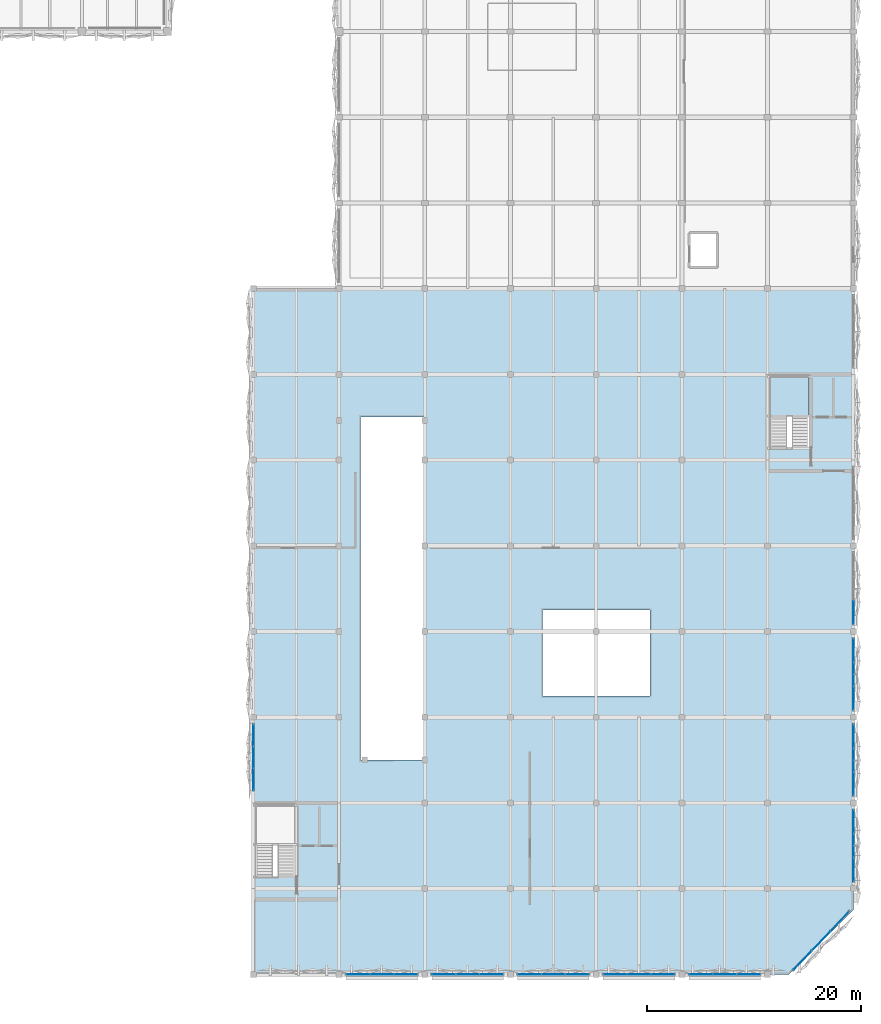
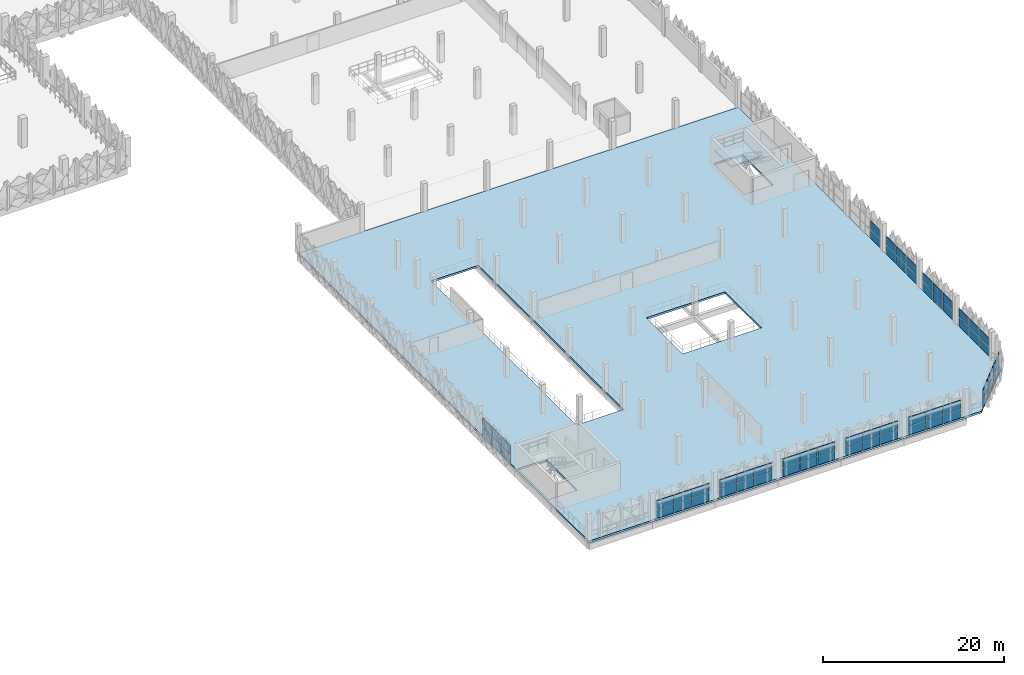
# One storey, part 31 of 83: 62 plates, 2 slabs, 12 elements without a shape of their own.
"""IFC4 building model written with IfcOpenShell, lengths in metres."""

from ifc_helpers import new_model, si_unit, derived_unit, direction, frame, origin, origin_2d, place, context, subcontext, project, spatial, polyline, rectangle, outline, extrude, material, layer, layer_set, type_object, element, aggregate, save


model = new_model("IFC4")

# Units and contexts
model_context = context("Model", 3, precision=1e-05, world=origin(), true_north=direction((0.0, 1.0)))
body_context = subcontext(model_context, "Body", "Model", "MODEL_VIEW")
ifc_project = project(units=[si_unit("LENGTHUNIT", "METRE"), si_unit("AREAUNIT", "SQUARE_METRE"), si_unit("VOLUMEUNIT", "CUBIC_METRE"), si_unit("PLANEANGLEUNIT", "RADIAN"), si_unit("MASSUNIT", "GRAM", prefix="KILO"), si_unit("THERMODYNAMICTEMPERATUREUNIT", "KELVIN"), derived_unit("THERMALTRANSMITTANCEUNIT", [(si_unit("POWERUNIT", "WATT"), 1), (si_unit("AREAUNIT", "SQUARE_METRE"), -1), (si_unit("THERMODYNAMICTEMPERATUREUNIT", "KELVIN"), -1)])], contexts=[model_context])

# Site, building, storey
site_placement = place(None, origin())
site = spatial("IfcSite", under=ifc_project, at=site_placement, CompositionType="ELEMENT")
building_placement = place(site_placement, origin())
building = spatial("IfcBuilding", under=site, at=building_placement, Name="Haiyu Intermodal Mobility Hub", CompositionType="ELEMENT")
storey_placement = place(building_placement, frame((0.0, 0.0, 13.39990234375)))
storey = spatial("IfcBuildingStorey", under=building, at=storey_placement, Name="L03", CompositionType="ELEMENT", Elevation=13.39990234375)

# Curtain wall, plates
ifc_material_1 = material(Name="Low-e laminated insulating glass", Category="glass")
ifc_layer_1 = layer(ifc_material_1, 0.2099609375)
ifc_layer_set_1 = layer_set([ifc_layer_1], Name="Low-e laminated insulating glass")
curtain_wall_type = type_object("IfcCurtainWallType", Name="CW-CW04", PredefinedType="NOTDEFINED", material=ifc_layer_set_1)
curtain_wall_1_placement = place(storey_placement, origin())
curtain_wall_1 = element("IfcCurtainWall", 1, at=curtain_wall_1_placement, inside=storey, type_object=curtain_wall_type, Name="Curtain Wall CW-V5S-L03-118", PredefinedType="NOTDEFINED")
ifc_material_2 = material(Name="Anodised aluminium 6063-T6", Category="aluminium")
ifc_layer_2 = layer(ifc_material_2, 0.0419921875)
ifc_layer_set_2 = layer_set([ifc_layer_2], Name="Anodised aluminium 6063-T6")
plate_type_1 = type_object("IfcPlateType", Name="PLT-CP02", PredefinedType="CURTAIN_PANEL", material=ifc_layer_set_2)
plate_1_placement = place(storey_placement, frame((163.77294921875, 16.0, 0.03515625), z_axis=(0.0, 0.0, 1.0), x_axis=(1.0, 0.0, 0.0)))
plate_1 = element("IfcPlate", 2, at=plate_1_placement, type_object=plate_type_1, Name="CW-V5S-L03-118-PN01", PredefinedType="CURTAIN_PANEL", context=body_context, shape_type="SweptSolid", body=[
    extrude(rectangle(XDim=2.136962890625, YDim=0.0419921875, at=origin_2d()), origin(), (0.0, 0.0, 1.0), 1.169921875),
])
plate_2_placement = place(storey_placement, frame((166.0, 16.0, 0.03515625), z_axis=(0.0, 0.0, 1.0), x_axis=(1.0, 0.0, 0.0)))
plate_2 = element("IfcPlate", 3, at=plate_2_placement, type_object=plate_type_1, Name="CW-V5S-L03-118-PN03", PredefinedType="CURTAIN_PANEL", context=body_context, shape_type="SweptSolid", body=[
    extrude(rectangle(XDim=2.136962890625, YDim=0.0419921875, at=origin_2d()), origin(), (0.0, 0.0, 1.0), 1.169921875),
])
plate_3_placement = place(storey_placement, frame((168.22705078125, 16.0, 0.03515625), z_axis=(0.0, 0.0, 1.0), x_axis=(1.0, 0.0, 0.0)))
plate_3 = element("IfcPlate", 4, at=plate_3_placement, type_object=plate_type_1, Name="CW-V5S-L03-118-PN05", PredefinedType="CURTAIN_PANEL", context=body_context, shape_type="SweptSolid", body=[
    extrude(rectangle(XDim=2.136962890625, YDim=0.0419921875, at=origin_2d()), origin(), (0.0, 0.0, 1.0), 1.169921875),
])

curtain_wall_2_placement = place(storey_placement, origin())
curtain_wall_2 = element("IfcCurtainWall", 5, at=curtain_wall_2_placement, inside=storey, type_object=curtain_wall_type, Name="Curtain Wall CW-V5S-L03-119", PredefinedType="NOTDEFINED")
plate_4_placement = place(storey_placement, frame((171.77294921875, 16.0, 0.03515625), z_axis=(0.0, 0.0, 1.0), x_axis=(1.0, 0.0, 0.0)))
plate_4 = element("IfcPlate", 6, at=plate_4_placement, type_object=plate_type_1, Name="CW-V5S-L03-119-PN01", PredefinedType="CURTAIN_PANEL", context=body_context, shape_type="SweptSolid", body=[
    extrude(rectangle(XDim=2.136962890625, YDim=0.0419921875, at=origin_2d()), origin(), (0.0, 0.0, 1.0), 1.169921875),
])
plate_5_placement = place(storey_placement, frame((174.0, 16.0, 0.03515625), z_axis=(0.0, 0.0, 1.0), x_axis=(1.0, 0.0, 0.0)))
plate_5 = element("IfcPlate", 7, at=plate_5_placement, type_object=plate_type_1, Name="CW-V5S-L03-119-PN03", PredefinedType="CURTAIN_PANEL", context=body_context, shape_type="SweptSolid", body=[
    extrude(rectangle(XDim=2.136962890625, YDim=0.0419921875, at=origin_2d()), origin(), (0.0, 0.0, 1.0), 1.169921875),
])
plate_6_placement = place(storey_placement, frame((176.22705078125, 16.0, 0.03515625), z_axis=(0.0, 0.0, 1.0), x_axis=(1.0, 0.0, 0.0)))
plate_6 = element("IfcPlate", 8, at=plate_6_placement, type_object=plate_type_1, Name="CW-V5S-L03-119-PN05", PredefinedType="CURTAIN_PANEL", context=body_context, shape_type="SweptSolid", body=[
    extrude(rectangle(XDim=2.136962890625, YDim=0.0419921875, at=origin_2d()), origin(), (0.0, 0.0, 1.0), 1.169921875),
])

curtain_wall_3_placement = place(storey_placement, origin())
curtain_wall_3 = element("IfcCurtainWall", 9, at=curtain_wall_3_placement, inside=storey, type_object=curtain_wall_type, Name="Curtain Wall CW-V5S-L03-120", PredefinedType="NOTDEFINED")
plate_7_placement = place(storey_placement, frame((179.77294921875, 16.0, 0.03515625), z_axis=(0.0, 0.0, 1.0), x_axis=(1.0, 0.0, 0.0)))
plate_7 = element("IfcPlate", 10, at=plate_7_placement, type_object=plate_type_1, Name="CW-V5S-L03-120-PN01", PredefinedType="CURTAIN_PANEL", context=body_context, shape_type="SweptSolid", body=[
    extrude(rectangle(XDim=2.136962890625, YDim=0.0419921875, at=origin_2d()), origin(), (0.0, 0.0, 1.0), 1.169921875),
])
plate_8_placement = place(storey_placement, frame((182.0, 16.0, 0.03515625), z_axis=(0.0, 0.0, 1.0), x_axis=(1.0, 0.0, 0.0)))
plate_8 = element("IfcPlate", 11, at=plate_8_placement, type_object=plate_type_1, Name="CW-V5S-L03-120-PN03", PredefinedType="CURTAIN_PANEL", context=body_context, shape_type="SweptSolid", body=[
    extrude(rectangle(XDim=2.136962890625, YDim=0.0419921875, at=origin_2d()), origin(), (0.0, 0.0, 1.0), 1.169921875),
])
plate_9_placement = place(storey_placement, frame((184.22705078125, 16.0, 0.03515625), z_axis=(0.0, 0.0, 1.0), x_axis=(1.0, 0.0, 0.0)))
plate_9 = element("IfcPlate", 12, at=plate_9_placement, type_object=plate_type_1, Name="CW-V5S-L03-120-PN05", PredefinedType="CURTAIN_PANEL", context=body_context, shape_type="SweptSolid", body=[
    extrude(rectangle(XDim=2.136962890625, YDim=0.0419921875, at=origin_2d()), origin(), (0.0, 0.0, 1.0), 1.169921875),
])

curtain_wall_4_placement = place(storey_placement, origin())
curtain_wall_4 = element("IfcCurtainWall", 13, at=curtain_wall_4_placement, inside=storey, type_object=curtain_wall_type, Name="Curtain Wall CW-V5S-L03-121", PredefinedType="NOTDEFINED")
plate_10_placement = place(storey_placement, frame((187.77294921875, 16.0, 0.03515625), z_axis=(0.0, 0.0, 1.0), x_axis=(1.0, 0.0, 0.0)))
plate_10 = element("IfcPlate", 14, at=plate_10_placement, type_object=plate_type_1, Name="CW-V5S-L03-121-PN01", PredefinedType="CURTAIN_PANEL", context=body_context, shape_type="SweptSolid", body=[
    extrude(rectangle(XDim=2.136962890625, YDim=0.0419921875, at=origin_2d()), origin(), (0.0, 0.0, 1.0), 1.169921875),
])
plate_11_placement = place(storey_placement, frame((190.0, 16.0, 0.03515625), z_axis=(0.0, 0.0, 1.0), x_axis=(1.0, 0.0, 0.0)))
plate_11 = element("IfcPlate", 15, at=plate_11_placement, type_object=plate_type_1, Name="CW-V5S-L03-121-PN03", PredefinedType="CURTAIN_PANEL", context=body_context, shape_type="SweptSolid", body=[
    extrude(rectangle(XDim=2.136962890625, YDim=0.0419921875, at=origin_2d()), origin(), (0.0, 0.0, 1.0), 1.169921875),
])
plate_12_placement = place(storey_placement, frame((192.22705078125, 16.0, 0.03515625), z_axis=(0.0, 0.0, 1.0), x_axis=(1.0, 0.0, 0.0)))
plate_12 = element("IfcPlate", 16, at=plate_12_placement, type_object=plate_type_1, Name="CW-V5S-L03-121-PN05", PredefinedType="CURTAIN_PANEL", context=body_context, shape_type="SweptSolid", body=[
    extrude(rectangle(XDim=2.136962890625, YDim=0.0419921875, at=origin_2d()), origin(), (0.0, 0.0, 1.0), 1.169921875),
])

curtain_wall_5_placement = place(storey_placement, origin())
curtain_wall_5 = element("IfcCurtainWall", 17, at=curtain_wall_5_placement, inside=storey, type_object=curtain_wall_type, Name="Curtain Wall CW-V5S-L03-122", PredefinedType="NOTDEFINED")
plate_13_placement = place(storey_placement, frame((195.77294921875, 16.0, 0.03515625), z_axis=(0.0, 0.0, 1.0), x_axis=(1.0, 0.0, 0.0)))
plate_13 = element("IfcPlate", 18, at=plate_13_placement, type_object=plate_type_1, Name="CW-V5S-L03-122-PN01", PredefinedType="CURTAIN_PANEL", context=body_context, shape_type="SweptSolid", body=[
    extrude(rectangle(XDim=2.136962890625, YDim=0.0419921875, at=origin_2d()), origin(), (0.0, 0.0, 1.0), 1.169921875),
])
plate_14_placement = place(storey_placement, frame((198.0, 16.0, 0.03515625), z_axis=(0.0, 0.0, 1.0), x_axis=(1.0, 0.0, 0.0)))
plate_14 = element("IfcPlate", 19, at=plate_14_placement, type_object=plate_type_1, Name="CW-V5S-L03-122-PN03", PredefinedType="CURTAIN_PANEL", context=body_context, shape_type="SweptSolid", body=[
    extrude(rectangle(XDim=2.136962890625, YDim=0.0419921875, at=origin_2d()), origin(), (0.0, 0.0, 1.0), 1.169921875),
])
plate_15_placement = place(storey_placement, frame((200.22705078125, 16.0, 0.03515625), z_axis=(0.0, 0.0, 1.0), x_axis=(1.0, 0.0, 0.0)))
plate_15 = element("IfcPlate", 20, at=plate_15_placement, type_object=plate_type_1, Name="CW-V5S-L03-122-PN05", PredefinedType="CURTAIN_PANEL", context=body_context, shape_type="SweptSolid", body=[
    extrude(rectangle(XDim=2.136962890625, YDim=0.0419921875, at=origin_2d()), origin(), (0.0, 0.0, 1.0), 1.169921875),
])

curtain_wall_6_placement = place(storey_placement, origin())
curtain_wall_6 = element("IfcCurtainWall", 21, at=curtain_wall_6_placement, inside=storey, type_object=curtain_wall_type, Name="Curtain Wall CW-V5E-L03-123", PredefinedType="NOTDEFINED")
plate_16_placement = place(storey_placement, frame((210.0, 25.77294921875, 0.03515625), z_axis=(0.0, 0.0, 1.0), x_axis=(0.0, 1.0, 0.0)))
plate_16 = element("IfcPlate", 22, at=plate_16_placement, type_object=plate_type_1, Name="CW-V5E-L03-123-PN01", PredefinedType="CURTAIN_PANEL", context=body_context, shape_type="SweptSolid", body=[
    extrude(rectangle(XDim=2.136962890625, YDim=0.0419921875, at=origin_2d()), origin(), (0.0, 0.0, 1.0), 1.169921875),
])
plate_17_placement = place(storey_placement, frame((210.0, 28.0, 0.03515625), z_axis=(0.0, 0.0, 1.0), x_axis=(0.0, 1.0, 0.0)))
plate_17 = element("IfcPlate", 23, at=plate_17_placement, type_object=plate_type_1, Name="CW-V5E-L03-123-PN03", PredefinedType="CURTAIN_PANEL", context=body_context, shape_type="SweptSolid", body=[
    extrude(rectangle(XDim=2.136962890625, YDim=0.0419921875, at=origin_2d()), origin(), (0.0, 0.0, 1.0), 1.169921875),
])
plate_18_placement = place(storey_placement, frame((210.0, 30.22705078125, 0.03515625), z_axis=(0.0, 0.0, 1.0), x_axis=(0.0, 1.0, 0.0)))
plate_18 = element("IfcPlate", 24, at=plate_18_placement, type_object=plate_type_1, Name="CW-V5E-L03-123-PN05", PredefinedType="CURTAIN_PANEL", context=body_context, shape_type="SweptSolid", body=[
    extrude(rectangle(XDim=2.136962890625, YDim=0.0419921875, at=origin_2d()), origin(), (0.0, 0.0, 1.0), 1.169921875),
])

curtain_wall_7_placement = place(storey_placement, origin())
curtain_wall_7 = element("IfcCurtainWall", 25, at=curtain_wall_7_placement, inside=storey, type_object=curtain_wall_type, Name="Curtain Wall CW-V5E-L03-124", PredefinedType="NOTDEFINED")
plate_19_placement = place(storey_placement, frame((210.0, 33.77294921875, 0.03515625), z_axis=(0.0, 0.0, 1.0), x_axis=(0.0, 1.0, 0.0)))
plate_19 = element("IfcPlate", 26, at=plate_19_placement, type_object=plate_type_1, Name="CW-V5E-L03-124-PN01", PredefinedType="CURTAIN_PANEL", context=body_context, shape_type="SweptSolid", body=[
    extrude(rectangle(XDim=2.136962890625, YDim=0.0419921875, at=origin_2d()), origin(), (0.0, 0.0, 1.0), 1.169921875),
])
plate_20_placement = place(storey_placement, frame((210.0, 36.0, 0.03515625), z_axis=(0.0, 0.0, 1.0), x_axis=(0.0, 1.0, 0.0)))
plate_20 = element("IfcPlate", 27, at=plate_20_placement, type_object=plate_type_1, Name="CW-V5E-L03-124-PN03", PredefinedType="CURTAIN_PANEL", context=body_context, shape_type="SweptSolid", body=[
    extrude(rectangle(XDim=2.136962890625, YDim=0.0419921875, at=origin_2d()), origin(), (0.0, 0.0, 1.0), 1.169921875),
])
plate_21_placement = place(storey_placement, frame((210.0, 38.22705078125, 0.03515625), z_axis=(0.0, 0.0, 1.0), x_axis=(0.0, 1.0, 0.0)))
plate_21 = element("IfcPlate", 28, at=plate_21_placement, type_object=plate_type_1, Name="CW-V5E-L03-124-PN05", PredefinedType="CURTAIN_PANEL", context=body_context, shape_type="SweptSolid", body=[
    extrude(rectangle(XDim=2.136962890625, YDim=0.0419921875, at=origin_2d()), origin(), (0.0, 0.0, 1.0), 1.169921875),
])

curtain_wall_8_placement = place(storey_placement, origin())
curtain_wall_8 = element("IfcCurtainWall", 29, at=curtain_wall_8_placement, inside=storey, type_object=curtain_wall_type, Name="Curtain Wall CW-V5E-L03-125", PredefinedType="NOTDEFINED")
plate_22_placement = place(storey_placement, frame((210.0, 41.77294921875, 0.03515625), z_axis=(0.0, 0.0, 1.0), x_axis=(0.0, 1.0, 0.0)))
plate_22 = element("IfcPlate", 30, at=plate_22_placement, type_object=plate_type_1, Name="CW-V5E-L03-125-PN01", PredefinedType="CURTAIN_PANEL", context=body_context, shape_type="SweptSolid", body=[
    extrude(rectangle(XDim=2.136962890625, YDim=0.0419921875, at=origin_2d()), origin(), (0.0, 0.0, 1.0), 1.169921875),
])
plate_23_placement = place(storey_placement, frame((210.0, 44.0, 0.03515625), z_axis=(0.0, 0.0, 1.0), x_axis=(0.0, 1.0, 0.0)))
plate_23 = element("IfcPlate", 31, at=plate_23_placement, type_object=plate_type_1, Name="CW-V5E-L03-125-PN03", PredefinedType="CURTAIN_PANEL", context=body_context, shape_type="SweptSolid", body=[
    extrude(rectangle(XDim=2.136962890625, YDim=0.0419921875, at=origin_2d()), origin(), (0.0, 0.0, 1.0), 1.169921875),
])
plate_24_placement = place(storey_placement, frame((210.0, 46.22705078125, 0.03515625), z_axis=(0.0, 0.0, 1.0), x_axis=(0.0, 1.0, 0.0)))
plate_24 = element("IfcPlate", 32, at=plate_24_placement, type_object=plate_type_1, Name="CW-V5E-L03-125-PN05", PredefinedType="CURTAIN_PANEL", context=body_context, shape_type="SweptSolid", body=[
    extrude(rectangle(XDim=2.136962890625, YDim=0.0419921875, at=origin_2d()), origin(), (0.0, 0.0, 1.0), 1.169921875),
])

# Curtain wall, plate
curtain_wall_9_placement = place(storey_placement, origin())
curtain_wall_9 = element("IfcCurtainWall", 33, at=curtain_wall_9_placement, inside=storey, type_object=curtain_wall_type, Name="Curtain Wall CW-V5E-L03-126", PredefinedType="NOTDEFINED")
plate_25_placement = place(storey_placement, frame((210.0, 49.77294921875, 0.03515625), z_axis=(0.0, 0.0, 1.0), x_axis=(0.0, 1.0, 0.0)))
plate_25 = element("IfcPlate", 34, at=plate_25_placement, type_object=plate_type_1, Name="CW-V5E-L03-126-PN01", PredefinedType="CURTAIN_PANEL", context=body_context, shape_type="SweptSolid", body=[
    extrude(rectangle(XDim=2.136962890625, YDim=0.0419921875, at=origin_2d()), origin(), (0.0, 0.0, 1.0), 1.169921875),
])

# Curtain wall, plates
curtain_wall_10_placement = place(storey_placement, origin())
curtain_wall_10 = element("IfcCurtainWall", 35, at=curtain_wall_10_placement, inside=storey, type_object=curtain_wall_type, Name="Curtain Wall CW-V5W-L03-129", PredefinedType="NOTDEFINED")
plate_26_placement = place(storey_placement, frame((154.0, 38.31005859375, 0.03515625), z_axis=(0.0, 0.0, 1.0), x_axis=(0.0, -1.0, 0.0)))
plate_26 = element("IfcPlate", 36, at=plate_26_placement, type_object=plate_type_1, Name="CW-V5W-L03-129-PN01", PredefinedType="CURTAIN_PANEL", context=body_context, shape_type="SweptSolid", body=[
    extrude(rectangle(XDim=1.969970703125, YDim=0.0419921875, at=origin_2d()), origin(), (0.0, 0.0, 1.0), 1.169921875),
])
plate_27_placement = place(storey_placement, frame((154.0, 36.25, 0.03515625), z_axis=(0.0, 0.0, 1.0), x_axis=(0.0, -1.0, 0.0)))
plate_27 = element("IfcPlate", 37, at=plate_27_placement, type_object=plate_type_1, Name="CW-V5W-L03-129-PN03", PredefinedType="CURTAIN_PANEL", context=body_context, shape_type="SweptSolid", body=[
    extrude(rectangle(XDim=1.969970703125, YDim=0.0419921875, at=origin_2d()), origin(), (0.0, 0.0, 1.0), 1.169921875),
])
plate_28_placement = place(storey_placement, frame((154.0, 34.18994140625, 0.03515625), z_axis=(0.0, 0.0, 1.0), x_axis=(0.0, -1.0, 0.0)))
plate_28 = element("IfcPlate", 38, at=plate_28_placement, type_object=plate_type_1, Name="CW-V5W-L03-129-PN05", PredefinedType="CURTAIN_PANEL", context=body_context, shape_type="SweptSolid", body=[
    extrude(rectangle(XDim=1.969970703125, YDim=0.0419921875, at=origin_2d()), origin(), (0.0, 0.0, 1.0), 1.169921875),
])

curtain_wall_11_placement = place(storey_placement, origin())
curtain_wall_11 = element("IfcCurtainWall", 39, at=curtain_wall_11_placement, inside=storey, type_object=curtain_wall_type, Name="Curtain Wall CW-V5CH-L03-181", PredefinedType="NOTDEFINED")
plate_29_placement = place(storey_placement, frame((205.251953125, 17.2939453125, 0.03515625), z_axis=(0.0, 0.0, 1.0), x_axis=(0.690630691319, 0.723207610723, 0.0)))
plate_29 = element("IfcPlate", 40, at=plate_29_placement, type_object=plate_type_1, Name="CW-V5CH-L03-181-PN01", PredefinedType="CURTAIN_PANEL", context=body_context, shape_type="SweptSolid", body=[
    extrude(rectangle(XDim=2.44091796875, YDim=0.0419921875, at=origin_2d()), origin(), (0.0, 0.0, 1.0), 1.169921875),
])
plate_30_placement = place(storey_placement, frame((207.0, 19.125, 0.03515625), z_axis=(0.0, 0.0, 1.0), x_axis=(0.690630691319, 0.723207610723, 0.0)))
plate_30 = element("IfcPlate", 41, at=plate_30_placement, type_object=plate_type_1, Name="CW-V5CH-L03-181-PN03", PredefinedType="CURTAIN_PANEL", context=body_context, shape_type="SweptSolid", body=[
    extrude(rectangle(XDim=2.44091796875, YDim=0.0419921875, at=origin_2d()), origin(), (0.0, 0.0, 1.0), 1.169921875),
])
plate_31_placement = place(storey_placement, frame((208.748046875, 20.9560546875, 0.03515625), z_axis=(0.0, 0.0, 1.0), x_axis=(0.690630691319, 0.723207610723, 0.0)))
plate_31 = element("IfcPlate", 42, at=plate_31_placement, type_object=plate_type_1, Name="CW-V5CH-L03-181-PN05", PredefinedType="CURTAIN_PANEL", context=body_context, shape_type="SweptSolid", body=[
    extrude(rectangle(XDim=2.44091796875, YDim=0.0419921875, at=origin_2d()), origin(), (0.0, 0.0, 1.0), 1.169921875),
])

# Plate
ifc_layer_3 = layer(ifc_material_1, 0.0439453125)
ifc_layer_set_3 = layer_set([ifc_layer_3], Name="Low-e laminated insulating glass")
plate_type_2 = type_object("IfcPlateType", Name="PLT-CP04", PredefinedType="CURTAIN_PANEL", material=ifc_layer_set_3)
plate_32_placement = place(storey_placement, frame((163.77294921875, 16.0, 1.275146484375), z_axis=(0.0, 0.0, 1.0), x_axis=(1.0, 0.0, 0.0)))
plate_32 = element("IfcPlate", 43, at=plate_32_placement, type_object=plate_type_2, Name="CW-V5S-L03-118-PN02", PredefinedType="CURTAIN_PANEL", context=body_context, shape_type="SweptSolid", body=[
    extrude(rectangle(XDim=2.136962890625, YDim=0.0439453125, at=origin_2d()), origin(), (0.0, 0.0, 1.0), 1.169921875),
])

plate_33_placement = place(storey_placement, frame((166.0, 16.0, 1.275146484375), z_axis=(0.0, 0.0, 1.0), x_axis=(1.0, 0.0, 0.0)))
plate_33 = element("IfcPlate", 44, at=plate_33_placement, type_object=plate_type_2, Name="CW-V5S-L03-118-PN04", PredefinedType="CURTAIN_PANEL", context=body_context, shape_type="SweptSolid", body=[
    extrude(rectangle(XDim=2.136962890625, YDim=0.0439453125, at=origin_2d()), origin(), (0.0, 0.0, 1.0), 1.169921875),
])

plate_34_placement = place(storey_placement, frame((168.22705078125, 16.0, 1.275146484375), z_axis=(0.0, 0.0, 1.0), x_axis=(1.0, 0.0, 0.0)))
plate_34 = element("IfcPlate", 45, at=plate_34_placement, type_object=plate_type_2, Name="CW-V5S-L03-118-PN06", PredefinedType="CURTAIN_PANEL", context=body_context, shape_type="SweptSolid", body=[
    extrude(rectangle(XDim=2.136962890625, YDim=0.0439453125, at=origin_2d()), origin(), (0.0, 0.0, 1.0), 1.169921875),
])

aggregate(curtain_wall_1, [plate_1, plate_32, plate_2, plate_33, plate_3, plate_34])

plate_35_placement = place(storey_placement, frame((171.77294921875, 16.0, 1.275146484375), z_axis=(0.0, 0.0, 1.0), x_axis=(1.0, 0.0, 0.0)))
plate_35 = element("IfcPlate", 46, at=plate_35_placement, type_object=plate_type_2, Name="CW-V5S-L03-119-PN02", PredefinedType="CURTAIN_PANEL", context=body_context, shape_type="SweptSolid", body=[
    extrude(rectangle(XDim=2.136962890625, YDim=0.0439453125, at=origin_2d()), origin(), (0.0, 0.0, 1.0), 1.169921875),
])

plate_36_placement = place(storey_placement, frame((174.0, 16.0, 1.275146484375), z_axis=(0.0, 0.0, 1.0), x_axis=(1.0, 0.0, 0.0)))
plate_36 = element("IfcPlate", 47, at=plate_36_placement, type_object=plate_type_2, Name="CW-V5S-L03-119-PN04", PredefinedType="CURTAIN_PANEL", context=body_context, shape_type="SweptSolid", body=[
    extrude(rectangle(XDim=2.136962890625, YDim=0.0439453125, at=origin_2d()), origin(), (0.0, 0.0, 1.0), 1.169921875),
])

plate_37_placement = place(storey_placement, frame((176.22705078125, 16.0, 1.275146484375), z_axis=(0.0, 0.0, 1.0), x_axis=(1.0, 0.0, 0.0)))
plate_37 = element("IfcPlate", 48, at=plate_37_placement, type_object=plate_type_2, Name="CW-V5S-L03-119-PN06", PredefinedType="CURTAIN_PANEL", context=body_context, shape_type="SweptSolid", body=[
    extrude(rectangle(XDim=2.136962890625, YDim=0.0439453125, at=origin_2d()), origin(), (0.0, 0.0, 1.0), 1.169921875),
])

aggregate(curtain_wall_2, [plate_4, plate_35, plate_5, plate_36, plate_6, plate_37])

plate_38_placement = place(storey_placement, frame((179.77294921875, 16.0, 1.275146484375), z_axis=(0.0, 0.0, 1.0), x_axis=(1.0, 0.0, 0.0)))
plate_38 = element("IfcPlate", 49, at=plate_38_placement, type_object=plate_type_2, Name="CW-V5S-L03-120-PN02", PredefinedType="CURTAIN_PANEL", context=body_context, shape_type="SweptSolid", body=[
    extrude(rectangle(XDim=2.136962890625, YDim=0.0439453125, at=origin_2d()), origin(), (0.0, 0.0, 1.0), 1.169921875),
])

plate_39_placement = place(storey_placement, frame((182.0, 16.0, 1.275146484375), z_axis=(0.0, 0.0, 1.0), x_axis=(1.0, 0.0, 0.0)))
plate_39 = element("IfcPlate", 50, at=plate_39_placement, type_object=plate_type_2, Name="CW-V5S-L03-120-PN04", PredefinedType="CURTAIN_PANEL", context=body_context, shape_type="SweptSolid", body=[
    extrude(rectangle(XDim=2.136962890625, YDim=0.0439453125, at=origin_2d()), origin(), (0.0, 0.0, 1.0), 1.169921875),
])

plate_40_placement = place(storey_placement, frame((184.22705078125, 16.0, 1.275146484375), z_axis=(0.0, 0.0, 1.0), x_axis=(1.0, 0.0, 0.0)))
plate_40 = element("IfcPlate", 51, at=plate_40_placement, type_object=plate_type_2, Name="CW-V5S-L03-120-PN06", PredefinedType="CURTAIN_PANEL", context=body_context, shape_type="SweptSolid", body=[
    extrude(rectangle(XDim=2.136962890625, YDim=0.0439453125, at=origin_2d()), origin(), (0.0, 0.0, 1.0), 1.169921875),
])

aggregate(curtain_wall_3, [plate_7, plate_38, plate_8, plate_39, plate_9, plate_40])

plate_41_placement = place(storey_placement, frame((187.77294921875, 16.0, 1.275146484375), z_axis=(0.0, 0.0, 1.0), x_axis=(1.0, 0.0, 0.0)))
plate_41 = element("IfcPlate", 52, at=plate_41_placement, type_object=plate_type_2, Name="CW-V5S-L03-121-PN02", PredefinedType="CURTAIN_PANEL", context=body_context, shape_type="SweptSolid", body=[
    extrude(rectangle(XDim=2.136962890625, YDim=0.0439453125, at=origin_2d()), origin(), (0.0, 0.0, 1.0), 1.169921875),
])

plate_42_placement = place(storey_placement, frame((190.0, 16.0, 1.275146484375), z_axis=(0.0, 0.0, 1.0), x_axis=(1.0, 0.0, 0.0)))
plate_42 = element("IfcPlate", 53, at=plate_42_placement, type_object=plate_type_2, Name="CW-V5S-L03-121-PN04", PredefinedType="CURTAIN_PANEL", context=body_context, shape_type="SweptSolid", body=[
    extrude(rectangle(XDim=2.136962890625, YDim=0.0439453125, at=origin_2d()), origin(), (0.0, 0.0, 1.0), 1.169921875),
])

plate_43_placement = place(storey_placement, frame((192.22705078125, 16.0, 1.275146484375), z_axis=(0.0, 0.0, 1.0), x_axis=(1.0, 0.0, 0.0)))
plate_43 = element("IfcPlate", 54, at=plate_43_placement, type_object=plate_type_2, Name="CW-V5S-L03-121-PN06", PredefinedType="CURTAIN_PANEL", context=body_context, shape_type="SweptSolid", body=[
    extrude(rectangle(XDim=2.136962890625, YDim=0.0439453125, at=origin_2d()), origin(), (0.0, 0.0, 1.0), 1.169921875),
])

aggregate(curtain_wall_4, [plate_10, plate_41, plate_11, plate_42, plate_12, plate_43])

plate_44_placement = place(storey_placement, frame((195.77294921875, 16.0, 1.275146484375), z_axis=(0.0, 0.0, 1.0), x_axis=(1.0, 0.0, 0.0)))
plate_44 = element("IfcPlate", 55, at=plate_44_placement, type_object=plate_type_2, Name="CW-V5S-L03-122-PN02", PredefinedType="CURTAIN_PANEL", context=body_context, shape_type="SweptSolid", body=[
    extrude(rectangle(XDim=2.136962890625, YDim=0.0439453125, at=origin_2d()), origin(), (0.0, 0.0, 1.0), 1.169921875),
])

plate_45_placement = place(storey_placement, frame((198.0, 16.0, 1.275146484375), z_axis=(0.0, 0.0, 1.0), x_axis=(1.0, 0.0, 0.0)))
plate_45 = element("IfcPlate", 56, at=plate_45_placement, type_object=plate_type_2, Name="CW-V5S-L03-122-PN04", PredefinedType="CURTAIN_PANEL", context=body_context, shape_type="SweptSolid", body=[
    extrude(rectangle(XDim=2.136962890625, YDim=0.0439453125, at=origin_2d()), origin(), (0.0, 0.0, 1.0), 1.169921875),
])

plate_46_placement = place(storey_placement, frame((200.22705078125, 16.0, 1.275146484375), z_axis=(0.0, 0.0, 1.0), x_axis=(1.0, 0.0, 0.0)))
plate_46 = element("IfcPlate", 57, at=plate_46_placement, type_object=plate_type_2, Name="CW-V5S-L03-122-PN06", PredefinedType="CURTAIN_PANEL", context=body_context, shape_type="SweptSolid", body=[
    extrude(rectangle(XDim=2.136962890625, YDim=0.0439453125, at=origin_2d()), origin(), (0.0, 0.0, 1.0), 1.169921875),
])

aggregate(curtain_wall_5, [plate_13, plate_44, plate_14, plate_45, plate_15, plate_46])

plate_47_placement = place(storey_placement, frame((210.0, 25.77294921875, 1.275146484375), z_axis=(0.0, 0.0, 1.0), x_axis=(0.0, 1.0, 0.0)))
plate_47 = element("IfcPlate", 58, at=plate_47_placement, type_object=plate_type_2, Name="CW-V5E-L03-123-PN02", PredefinedType="CURTAIN_PANEL", context=body_context, shape_type="SweptSolid", body=[
    extrude(rectangle(XDim=2.136962890625, YDim=0.0439453125, at=origin_2d()), origin(), (0.0, 0.0, 1.0), 1.169921875),
])

plate_48_placement = place(storey_placement, frame((210.0, 28.0, 1.275146484375), z_axis=(0.0, 0.0, 1.0), x_axis=(0.0, 1.0, 0.0)))
plate_48 = element("IfcPlate", 59, at=plate_48_placement, type_object=plate_type_2, Name="CW-V5E-L03-123-PN04", PredefinedType="CURTAIN_PANEL", context=body_context, shape_type="SweptSolid", body=[
    extrude(rectangle(XDim=2.136962890625, YDim=0.0439453125, at=origin_2d()), origin(), (0.0, 0.0, 1.0), 1.169921875),
])

plate_49_placement = place(storey_placement, frame((210.0, 30.22705078125, 1.275146484375), z_axis=(0.0, 0.0, 1.0), x_axis=(0.0, 1.0, 0.0)))
plate_49 = element("IfcPlate", 60, at=plate_49_placement, type_object=plate_type_2, Name="CW-V5E-L03-123-PN06", PredefinedType="CURTAIN_PANEL", context=body_context, shape_type="SweptSolid", body=[
    extrude(rectangle(XDim=2.136962890625, YDim=0.0439453125, at=origin_2d()), origin(), (0.0, 0.0, 1.0), 1.169921875),
])

aggregate(curtain_wall_6, [plate_16, plate_47, plate_17, plate_48, plate_18, plate_49])

plate_50_placement = place(storey_placement, frame((210.0, 33.77294921875, 1.275146484375), z_axis=(0.0, 0.0, 1.0), x_axis=(0.0, 1.0, 0.0)))
plate_50 = element("IfcPlate", 61, at=plate_50_placement, type_object=plate_type_2, Name="CW-V5E-L03-124-PN02", PredefinedType="CURTAIN_PANEL", context=body_context, shape_type="SweptSolid", body=[
    extrude(rectangle(XDim=2.136962890625, YDim=0.0439453125, at=origin_2d()), origin(), (0.0, 0.0, 1.0), 1.169921875),
])

plate_51_placement = place(storey_placement, frame((210.0, 36.0, 1.275146484375), z_axis=(0.0, 0.0, 1.0), x_axis=(0.0, 1.0, 0.0)))
plate_51 = element("IfcPlate", 62, at=plate_51_placement, type_object=plate_type_2, Name="CW-V5E-L03-124-PN04", PredefinedType="CURTAIN_PANEL", context=body_context, shape_type="SweptSolid", body=[
    extrude(rectangle(XDim=2.136962890625, YDim=0.0439453125, at=origin_2d()), origin(), (0.0, 0.0, 1.0), 1.169921875),
])

plate_52_placement = place(storey_placement, frame((210.0, 38.22705078125, 1.275146484375), z_axis=(0.0, 0.0, 1.0), x_axis=(0.0, 1.0, 0.0)))
plate_52 = element("IfcPlate", 63, at=plate_52_placement, type_object=plate_type_2, Name="CW-V5E-L03-124-PN06", PredefinedType="CURTAIN_PANEL", context=body_context, shape_type="SweptSolid", body=[
    extrude(rectangle(XDim=2.136962890625, YDim=0.0439453125, at=origin_2d()), origin(), (0.0, 0.0, 1.0), 1.169921875),
])

aggregate(curtain_wall_7, [plate_19, plate_50, plate_20, plate_51, plate_21, plate_52])

plate_53_placement = place(storey_placement, frame((210.0, 41.77294921875, 1.275146484375), z_axis=(0.0, 0.0, 1.0), x_axis=(0.0, 1.0, 0.0)))
plate_53 = element("IfcPlate", 64, at=plate_53_placement, type_object=plate_type_2, Name="CW-V5E-L03-125-PN02", PredefinedType="CURTAIN_PANEL", context=body_context, shape_type="SweptSolid", body=[
    extrude(rectangle(XDim=2.136962890625, YDim=0.0439453125, at=origin_2d()), origin(), (0.0, 0.0, 1.0), 1.169921875),
])

plate_54_placement = place(storey_placement, frame((210.0, 44.0, 1.275146484375), z_axis=(0.0, 0.0, 1.0), x_axis=(0.0, 1.0, 0.0)))
plate_54 = element("IfcPlate", 65, at=plate_54_placement, type_object=plate_type_2, Name="CW-V5E-L03-125-PN04", PredefinedType="CURTAIN_PANEL", context=body_context, shape_type="SweptSolid", body=[
    extrude(rectangle(XDim=2.136962890625, YDim=0.0439453125, at=origin_2d()), origin(), (0.0, 0.0, 1.0), 1.169921875),
])

plate_55_placement = place(storey_placement, frame((210.0, 46.22705078125, 1.275146484375), z_axis=(0.0, 0.0, 1.0), x_axis=(0.0, 1.0, 0.0)))
plate_55 = element("IfcPlate", 66, at=plate_55_placement, type_object=plate_type_2, Name="CW-V5E-L03-125-PN06", PredefinedType="CURTAIN_PANEL", context=body_context, shape_type="SweptSolid", body=[
    extrude(rectangle(XDim=2.136962890625, YDim=0.0439453125, at=origin_2d()), origin(), (0.0, 0.0, 1.0), 1.169921875),
])

aggregate(curtain_wall_8, [plate_22, plate_53, plate_23, plate_54, plate_24, plate_55])

plate_56_placement = place(storey_placement, frame((210.0, 49.77294921875, 1.275146484375), z_axis=(0.0, 0.0, 1.0), x_axis=(0.0, 1.0, 0.0)))
plate_56 = element("IfcPlate", 67, at=plate_56_placement, type_object=plate_type_2, Name="CW-V5E-L03-126-PN02", PredefinedType="CURTAIN_PANEL", context=body_context, shape_type="SweptSolid", body=[
    extrude(rectangle(XDim=2.136962890625, YDim=0.0439453125, at=origin_2d()), origin(), (0.0, 0.0, 1.0), 1.169921875),
])

aggregate(curtain_wall_9, [plate_25, plate_56])

plate_57_placement = place(storey_placement, frame((154.0, 38.31005859375, 1.275146484375), z_axis=(0.0, 0.0, 1.0), x_axis=(0.0, -1.0, 0.0)))
plate_57 = element("IfcPlate", 68, at=plate_57_placement, type_object=plate_type_2, Name="CW-V5W-L03-129-PN02", PredefinedType="CURTAIN_PANEL", context=body_context, shape_type="SweptSolid", body=[
    extrude(rectangle(XDim=1.969970703125, YDim=0.0439453125, at=origin_2d()), origin(), (0.0, 0.0, 1.0), 1.169921875),
])

plate_58_placement = place(storey_placement, frame((154.0, 36.25, 1.275146484375), z_axis=(0.0, 0.0, 1.0), x_axis=(0.0, -1.0, 0.0)))
plate_58 = element("IfcPlate", 69, at=plate_58_placement, type_object=plate_type_2, Name="CW-V5W-L03-129-PN04", PredefinedType="CURTAIN_PANEL", context=body_context, shape_type="SweptSolid", body=[
    extrude(rectangle(XDim=1.969970703125, YDim=0.0439453125, at=origin_2d()), origin(), (0.0, 0.0, 1.0), 1.169921875),
])

plate_59_placement = place(storey_placement, frame((154.0, 34.18994140625, 1.275146484375), z_axis=(0.0, 0.0, 1.0), x_axis=(0.0, -1.0, 0.0)))
plate_59 = element("IfcPlate", 70, at=plate_59_placement, type_object=plate_type_2, Name="CW-V5W-L03-129-PN06", PredefinedType="CURTAIN_PANEL", context=body_context, shape_type="SweptSolid", body=[
    extrude(rectangle(XDim=1.969970703125, YDim=0.0439453125, at=origin_2d()), origin(), (0.0, 0.0, 1.0), 1.169921875),
])

aggregate(curtain_wall_10, [plate_26, plate_57, plate_27, plate_58, plate_28, plate_59])

plate_60_placement = place(storey_placement, frame((205.251953125, 17.2939453125, 1.275146484375), z_axis=(0.0, 0.0, 1.0), x_axis=(0.690630691319, 0.723207610723, 0.0)))
plate_60 = element("IfcPlate", 71, at=plate_60_placement, type_object=plate_type_2, Name="CW-V5CH-L03-181-PN02", PredefinedType="CURTAIN_PANEL", context=body_context, shape_type="SweptSolid", body=[
    extrude(rectangle(XDim=2.44091796875, YDim=0.0439453125, at=origin_2d()), origin(), (0.0, 0.0, 1.0), 1.169921875),
])

plate_61_placement = place(storey_placement, frame((207.0, 19.125, 1.275146484375), z_axis=(0.0, 0.0, 1.0), x_axis=(0.690630691319, 0.723207610723, 0.0)))
plate_61 = element("IfcPlate", 72, at=plate_61_placement, type_object=plate_type_2, Name="CW-V5CH-L03-181-PN04", PredefinedType="CURTAIN_PANEL", context=body_context, shape_type="SweptSolid", body=[
    extrude(rectangle(XDim=2.44091796875, YDim=0.0439453125, at=origin_2d()), origin(), (0.0, 0.0, 1.0), 1.169921875),
])

plate_62_placement = place(storey_placement, frame((208.748046875, 20.9560546875, 1.275146484375), z_axis=(0.0, 0.0, 1.0), x_axis=(0.690630691319, 0.723207610723, 0.0)))
plate_62 = element("IfcPlate", 73, at=plate_62_placement, type_object=plate_type_2, Name="CW-V5CH-L03-181-PN06", PredefinedType="CURTAIN_PANEL", context=body_context, shape_type="SweptSolid", body=[
    extrude(rectangle(XDim=2.44091796875, YDim=0.0439453125, at=origin_2d()), origin(), (0.0, 0.0, 1.0), 1.169921875),
])

aggregate(curtain_wall_11, [plate_29, plate_60, plate_30, plate_61, plate_31, plate_62])

# Slab
ifc_material_3 = material(Name="Concrete C40", Category="concrete")
ifc_layer_4 = layer(ifc_material_3, 0.199951171875)
ifc_layer_set_4 = layer_set([ifc_layer_4], Name="Concrete C40")
slab_type_1 = type_object("IfcSlabType", Name="SLB-SL07", PredefinedType="FLOOR", material=ifc_layer_set_4)
slab_1_placement = place(storey_placement, frame((0.0, 0.0, -0.260009765625)))
element("IfcSlab", 74, at=slab_1_placement, inside=storey, type_object=slab_type_1, Name="L03 Bicycle & Shared-Mobility Floor Slab", PredefinedType="FLOOR", context=body_context, shape_type="SweptSolid", body=[
    extrude(outline(polyline([(154.02001953125, 16.0), (204.0, 16.0), (210.0, 22.0), (210.0, 79.97998046875), (154.02001953125, 79.97998046875), (154.02001953125, 16.0)]), holes=[polyline([(154.219970703125, 25.14990234375), (157.85009765625, 25.14990234375), (157.85009765625, 31.949951171875), (154.219970703125, 31.949951171875), (154.219970703125, 25.14990234375)]), polyline([(202.219970703125, 65.14990234375), (205.85009765625, 65.14990234375), (205.85009765625, 71.949951171875), (202.219970703125, 71.949951171875), (202.219970703125, 65.14990234375)]), polyline([(164.0, 36.0), (170.0, 36.0), (170.0, 68.0), (164.0, 68.0), (164.0, 36.0)]), polyline([(181.0, 42.0), (191.0, 42.0), (191.0, 50.0), (181.0, 50.0), (181.0, 42.0)])]), origin(), (0.0, 0.0, 1.0), 0.260009765625),
])

# Stair, slab
stair_type = type_object("IfcStairType", Name="STR-ST05", PredefinedType="HALF_TURN_STAIR", material=ifc_material_3)
stair_placement = place(storey_placement, origin())
stair = element("IfcStair", 75, at=stair_placement, inside=storey, type_object=stair_type, Name="Exit Stair ST03 L03", PredefinedType="HALF_TURN_STAIR")
ifc_layer_5 = layer(ifc_material_3, 0.2099609375)
ifc_layer_set_5 = layer_set([ifc_layer_5], Name="Concrete C40")
slab_type_2 = type_object("IfcSlabType", Name="SLB-SL13", PredefinedType="LANDING", material=ifc_layer_set_5)
slab_2_placement = place(storey_placement, frame((0.0, 0.0, 1.739990234375)))
slab_2 = element("IfcSlab", 76, at=slab_2_placement, type_object=slab_type_2, Name="Stair Half-Landing STR-C9-L03-LND", PredefinedType="LANDING", context=body_context, shape_type="SweptSolid", body=[
    extrude(outline(polyline([(202.219970703125, 68.1298828125), (205.8701171875, 68.1298828125), (205.8701171875, 71.780029296875), (202.219970703125, 71.780029296875), (202.219970703125, 68.1298828125)])), origin(), (0.0, 0.0, 1.0), 0.210205078125),
])
aggregate(stair, [slab_2])

save(model, "model.ifc")
